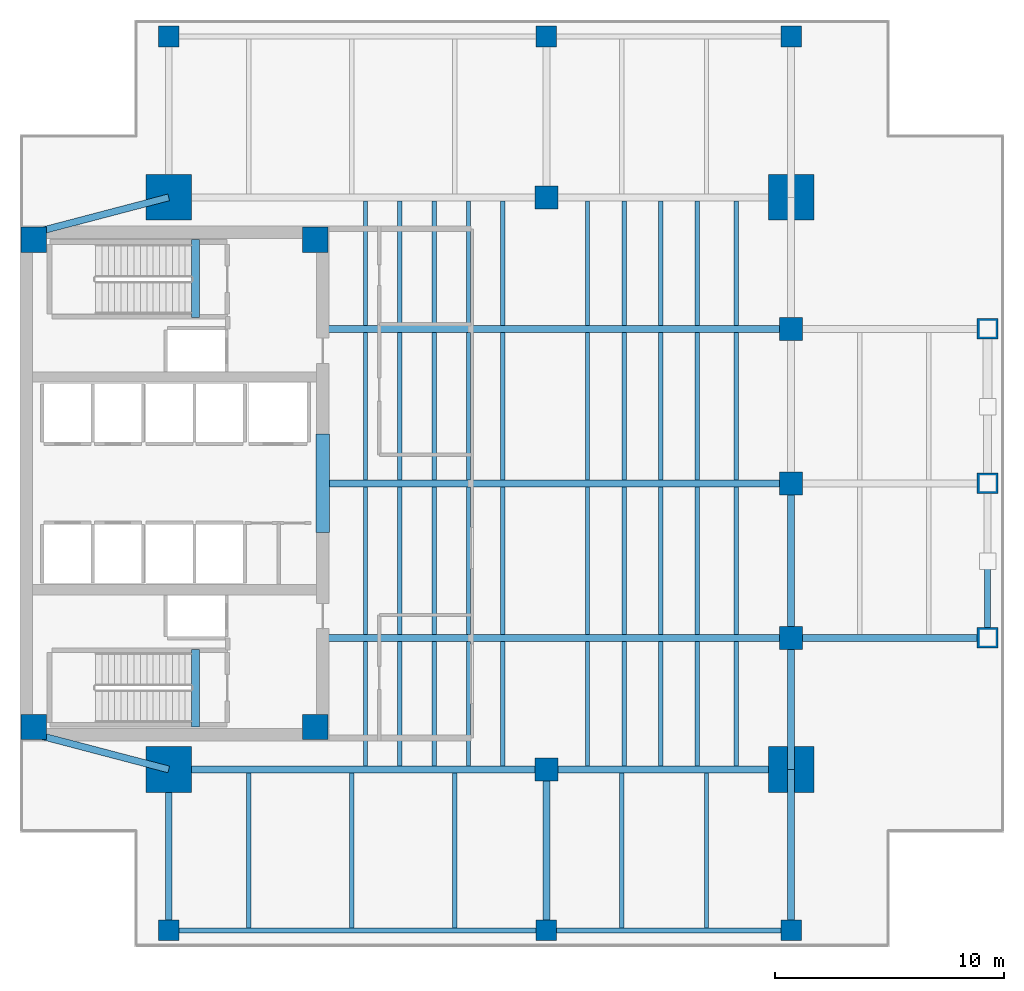
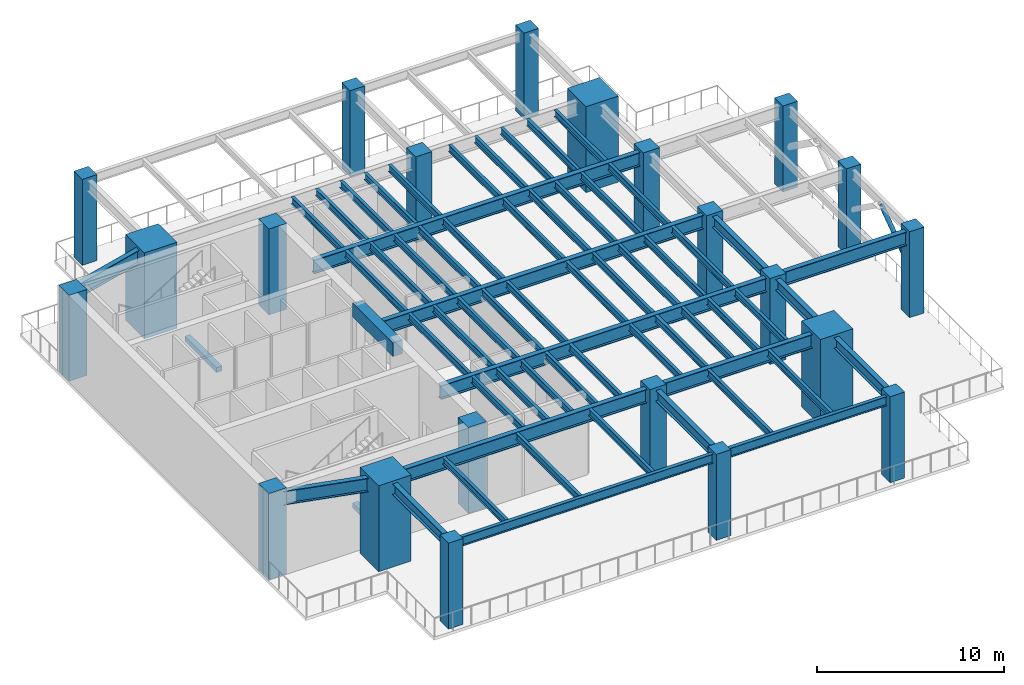
# One storey, part 1 of 8: 63 beams, 22 columns, 1 member.
"""IFC4 building model written with IfcOpenShell, lengths in metres."""

from ifc_helpers import new_model, si_unit, direction, frame, origin, origin_2d, place, context, subcontext, project, spatial, rectangle, hollow_circle, i_section, extrude, material, material_profile, profile_set, type_object, element, save


model = new_model("IFC4")

# Units and contexts
model_context = context("Model", 3, precision=1e-05, world=origin(), true_north=direction((0.0, 1.0)))
body_context = subcontext(model_context, "Body", "Model", "MODEL_VIEW")
ifc_project = project(units=[si_unit("LENGTHUNIT", "METRE"), si_unit("AREAUNIT", "SQUARE_METRE"), si_unit("VOLUMEUNIT", "CUBIC_METRE"), si_unit("PLANEANGLEUNIT", "RADIAN"), si_unit("MASSUNIT", "GRAM", prefix="KILO")], contexts=[model_context])

# Site, building, storey
site_placement = place(None, origin())
site = spatial("IfcSite", under=ifc_project, at=site_placement, CompositionType="ELEMENT")
building_placement = place(site_placement, origin())
building = spatial("IfcBuilding", under=site, at=building_placement, Name="Kinhvarn Gate Tower", CompositionType="ELEMENT")
storey_placement = place(building_placement, frame((0.0, 0.0, 178.050048828125)))
storey = spatial("IfcBuildingStorey", under=building, at=storey_placement, Name="L47", CompositionType="ELEMENT", Elevation=178.050048828125)

# Columns
ifc_material_1 = material(Name="Concrete C60/75", Category="concrete")
ifc_material_profile_1 = material_profile(ifc_material_1, rectangle(XDim=2.0, YDim=2.0, at=origin_2d()), Name="RC 2000x2000")
ifc_profile_set_1 = profile_set([ifc_material_profile_1], Name="Concrete C60/75")
column_type_1 = type_object("IfcColumnType", Name="COL-MC-2000", PredefinedType="COLUMN", material=ifc_profile_set_1)
for number, where, z_axis, x_axis, name in (
    (1, (11.0, 12.75, 0.0), (0.0, 0.0, 1.0), (1.0, 0.0, 0.0), "Column MC1-L47 (MC-20)"),
    (2, (11.0, 37.75, 0.0), (0.0, 0.0, 1.0), (1.0, 0.0, 0.0), "Column MC4-L47 (MC-20)"),
    (3, (38.199951171875, 12.75, 0.0), (0.0, 0.0, 1.0), (1.0, 0.0, 0.0), "Column MC2-L47 (MC-20)"),
    (4, (38.199951171875, 37.75, 0.0), (0.0, 0.0, 1.0), (1.0, 0.0, 0.0), "Column MC3-L47 (MC-20)"),
):
    element("IfcColumn", number, at=place(storey_placement, frame(where, z_axis=z_axis, x_axis=x_axis)), inside=storey, type_object=column_type_1, Name=name, PredefinedType="COLUMN", context=body_context, shape_type="SweptSolid", body=[
        extrude(rectangle(XDim=2.0, YDim=2.0, at=origin_2d()), origin(), (0.0, 0.0, 1.0), 5.599853515625),
    ])
ifc_material_profile_2 = material_profile(ifc_material_1, rectangle(XDim=1.0, YDim=1.0, at=origin_2d()), Name="RC 1000x1000")
ifc_profile_set_2 = profile_set([ifc_material_profile_2], Name="Concrete C60/75")
column_type_2 = type_object("IfcColumnType", Name="COL-RC-1000", PredefinedType="COLUMN", material=ifc_profile_set_2)
for number, where, z_axis, x_axis, name in (
    (5, (27.5, 12.75, 0.0), (0.0, 0.0, 1.0), (1.0, 0.0, 0.0), "Column SP27-S-L47 (C-100)"),
    (6, (27.5, 37.75, 0.0), (0.0, 0.0, 1.0), (1.0, 0.0, 0.0), "Column SP27-N-L47 (C-100)"),
    (7, (38.199951171875, 18.5, 0.0), (0.0, 0.0, 1.0), (1.0, 0.0, 0.0), "Column SP38-E1-L47 (C-100)"),
    (8, (38.199951171875, 25.25, 0.0), (0.0, 0.0, 1.0), (1.0, 0.0, 0.0), "Column SP38-E2-L47 (C-100)"),
    (9, (38.199951171875, 32.0, 0.0), (0.0, 0.0, 1.0), (1.0, 0.0, 0.0), "Column SP38-E3-L47 (C-100)"),
):
    element("IfcColumn", number, at=place(storey_placement, frame(where, z_axis=z_axis, x_axis=x_axis)), inside=storey, type_object=column_type_2, Name=name, PredefinedType="COLUMN", context=body_context, shape_type="SweptSolid", body=[
        extrude(rectangle(XDim=1.0, YDim=1.0, at=origin_2d()), origin(), (0.0, 0.0, 1.0), 5.599853515625),
    ])
ifc_material_profile_3 = material_profile(ifc_material_1, rectangle(XDim=0.89990234375, YDim=0.89990234375, at=origin_2d()), Name="RC 900x900")
ifc_profile_set_3 = profile_set([ifc_material_profile_3], Name="Concrete C60/75")
column_type_3 = type_object("IfcColumnType", Name="COL-RC-900", PredefinedType="COLUMN", material=ifc_profile_set_3)
for number, where, z_axis, x_axis, name in (
    (10, (46.780029296875, 18.5, 0.0), (0.0, 0.0, 1.0), (1.0, 0.0, 0.0), "Column CE-1-L47 (C-090)"),
    (11, (46.780029296875, 25.25, 0.0), (0.0, 0.0, 1.0), (1.0, 0.0, 0.0), "Column CE-2-L47 (C-090)"),
    (12, (46.780029296875, 32.0, 0.0), (0.0, 0.0, 1.0), (1.0, 0.0, 0.0), "Column CE-3-L47 (C-090)"),
    (13, (11.0, 5.719970703125, 0.0), (0.0, 0.0, 1.0), (1.0, 0.0, 0.0), "Column CS-0-L47 (C-090)"),
    (14, (27.5, 5.719970703125, 0.0), (0.0, 0.0, 1.0), (1.0, 0.0, 0.0), "Column CS-1-L47 (C-090)"),
    (15, (38.199951171875, 5.719970703125, 0.0), (0.0, 0.0, 1.0), (1.0, 0.0, 0.0), "Column CS-2-L47 (C-090)"),
    (16, (11.0, 44.780029296875, 0.0), (0.0, 0.0, 1.0), (1.0, 0.0, 0.0), "Column CN-0-L47 (C-090)"),
    (17, (27.5, 44.780029296875, 0.0), (0.0, 0.0, 1.0), (1.0, 0.0, 0.0), "Column CN-1-L47 (C-090)"),
    (18, (38.199951171875, 44.780029296875, 0.0), (0.0, 0.0, 1.0), (1.0, 0.0, 0.0), "Column CN-2-L47 (C-090)"),
):
    element("IfcColumn", number, at=place(storey_placement, frame(where, z_axis=z_axis, x_axis=x_axis)), inside=storey, type_object=column_type_3, Name=name, PredefinedType="COLUMN", context=body_context, shape_type="SweptSolid", body=[
        extrude(rectangle(XDim=0.89990234375, YDim=0.89990234375, at=origin_2d()), origin(), (0.0, 0.0, 1.0), 5.599853515625),
    ])
ifc_material_profile_4 = material_profile(ifc_material_1, rectangle(XDim=1.10009765625, YDim=1.10009765625, at=origin_2d()), Name="RC 1100x1100")
ifc_profile_set_4 = profile_set([ifc_material_profile_4], Name="Concrete C60/75")
column_type_4 = type_object("IfcColumnType", Name="PIL-RC-1100", PredefinedType="PILASTER", material=ifc_profile_set_4)
for number, where, z_axis, x_axis, name in (
    (19, (5.10009765625, 14.60009765625, 0.0), (0.0, 0.0, 1.0), (1.0, 0.0, 0.0), "Column CC-SW-L47 (CP-110)"),
    (20, (5.10009765625, 35.89990234375, 0.0), (0.0, 0.0, 1.0), (1.0, 0.0, 0.0), "Column CC-NW-L47 (CP-110)"),
    (21, (17.39990234375, 14.60009765625, 0.0), (0.0, 0.0, 1.0), (1.0, 0.0, 0.0), "Column CC-SE-L47 (CP-110)"),
    (22, (17.39990234375, 35.89990234375, 0.0), (0.0, 0.0, 1.0), (1.0, 0.0, 0.0), "Column CC-NE-L47 (CP-110)"),
):
    element("IfcColumn", number, at=place(storey_placement, frame(where, z_axis=z_axis, x_axis=x_axis)), inside=storey, type_object=column_type_4, Name=name, PredefinedType="PILASTER", context=body_context, shape_type="SweptSolid", body=[
        extrude(rectangle(XDim=1.10009765625, YDim=1.10009765625, at=origin_2d()), origin(), (0.0, 0.0, 1.0), 5.599853515625),
    ])

# Beams
ifc_material_profile_5 = material_profile(ifc_material_1, rectangle(XDim=0.60009765625, YDim=0.89990234375, at=origin_2d()), Name="RC 600x900")
ifc_profile_set_5 = profile_set([ifc_material_profile_5], Name="Concrete C60/75")
beam_type_1 = type_object("IfcBeamType", Name="BM-CB-900", PredefinedType="LINTEL", material=ifc_profile_set_5)
beam_1_placement = place(storey_placement, frame((17.72509765625, 23.10009765625, 4.969970703125), z_axis=(0.0, 1.0, 0.0), x_axis=(-1.0, 0.0, 0.0)))
element("IfcBeam", 23, at=beam_1_placement, inside=storey, type_object=beam_type_1, Name="Core East Portal Coupling Beam L47", PredefinedType="LINTEL", context=body_context, shape_type="SweptSolid", body=[
    extrude(rectangle(XDim=0.60009765625, YDim=0.89990234375, at=origin_2d()), origin(), (0.0, 0.0, 1.0), 4.2998046875),
])
ifc_material_2 = material(Name="Steel S355", Category="steel")
ifc_material_profile_6 = material_profile(ifc_material_2, i_section(OverallWidth=0.300048828125, OverallDepth=0.89990234375, WebThickness=0.0185546875, FlangeThickness=0.034912109375, at=origin_2d()), Name="HEB 900")
ifc_profile_set_6 = profile_set([ifc_material_profile_6], Name="Steel S355")
beam_type_2 = type_object("IfcBeamType", Name="BM-HEB900", PredefinedType="BEAM", material=ifc_profile_set_6)
beam_2_placement = place(storey_placement, frame((11.0, 12.75, 4.969970703125), z_axis=(1.0, 0.0, 0.0), x_axis=(0.0, 1.0, 0.0)))
element("IfcBeam", 24, at=beam_2_placement, inside=storey, type_object=beam_type_2, Name="Floor Beam HG-20 (L47 MG-S1)", PredefinedType="BEAM", context=body_context, shape_type="SweptSolid", body=[
    extrude(i_section(OverallWidth=0.300048828125, OverallDepth=0.89990234375, WebThickness=0.0185546875, FlangeThickness=0.034912109375, at=origin_2d()), origin(), (0.0, 0.0, 1.0), 16.5),
])
beam_3_placement = place(storey_placement, frame((27.5, 12.75, 4.969970703125), z_axis=(1.0, 0.0, 0.0), x_axis=(0.0, 1.0, 0.0)))
element("IfcBeam", 25, at=beam_3_placement, inside=storey, type_object=beam_type_2, Name="Floor Beam HG-20 (L47 MG-S2)", PredefinedType="BEAM", context=body_context, shape_type="SweptSolid", body=[
    extrude(i_section(OverallWidth=0.300048828125, OverallDepth=0.89990234375, WebThickness=0.0185546875, FlangeThickness=0.034912109375, at=origin_2d()), origin(), (0.0, 0.0, 1.0), 10.699951171875),
])
for number, where, z_axis, x_axis, name in (
    (26, (5.10009765625, 14.300048828125, 4.969970703125), (0.967177623957, -0.254101246979, 0.0), (0.254101246979, 0.967177623957, 0.0), "Floor Beam HG-20 (L47 MG-SW-DIAG)"),
    (27, (5.10009765625, 36.199951171875, 4.969970703125), (0.967177623957, 0.254101246979, 0.0), (-0.254101246979, 0.967177623957, 0.0), "Floor Beam HG-20 (L47 MG-NW-DIAG)"),
):
    element("IfcBeam", number, at=place(storey_placement, frame(where, z_axis=z_axis, x_axis=x_axis)), inside=storey, type_object=beam_type_2, Name=name, PredefinedType="BEAM", context=body_context, shape_type="SweptSolid", body=[
        extrude(i_section(OverallWidth=0.300048828125, OverallDepth=0.89990234375, WebThickness=0.0185546875, FlangeThickness=0.034912109375, at=origin_2d()), origin(), (0.0, 0.0, 1.0), 6.10009765625),
    ])
beam_4_placement = place(storey_placement, frame((17.64990234375, 18.5, 4.969970703125), z_axis=(1.0, 0.0, 0.0), x_axis=(0.0, 1.0, 0.0)))
element("IfcBeam", 28, at=beam_4_placement, inside=storey, type_object=beam_type_2, Name="Floor Beam HG-20 (L47 EW1-Y18)", PredefinedType="BEAM", context=body_context, shape_type="SweptSolid", body=[
    extrude(i_section(OverallWidth=0.300048828125, OverallDepth=0.89990234375, WebThickness=0.0185546875, FlangeThickness=0.034912109375, at=origin_2d()), origin(), (0.0, 0.0, 1.0), 20.550048828125),
])
beam_5_placement = place(storey_placement, frame((38.199951171875, 18.5, 4.969970703125), z_axis=(1.0, 0.0, 0.0), x_axis=(0.0, 1.0, 0.0)))
element("IfcBeam", 29, at=beam_5_placement, inside=storey, type_object=beam_type_2, Name="Floor Beam HG-20 (L47 EW2-Y18)", PredefinedType="BEAM", context=body_context, shape_type="SweptSolid", body=[
    extrude(i_section(OverallWidth=0.300048828125, OverallDepth=0.89990234375, WebThickness=0.0185546875, FlangeThickness=0.034912109375, at=origin_2d()), origin(), (0.0, 0.0, 1.0), 8.580078125),
])
beam_6_placement = place(storey_placement, frame((18.02490234375, 25.25, 4.969970703125), z_axis=(1.0, 0.0, 0.0), x_axis=(0.0, 1.0, 0.0)))
element("IfcBeam", 30, at=beam_6_placement, inside=storey, type_object=beam_type_2, Name="Floor Beam HG-20 (L47 EW1-Y25)", PredefinedType="BEAM", context=body_context, shape_type="SweptSolid", body=[
    extrude(i_section(OverallWidth=0.300048828125, OverallDepth=0.89990234375, WebThickness=0.0185546875, FlangeThickness=0.034912109375, at=origin_2d()), origin(), (0.0, 0.0, 1.0), 20.175048828125),
])
beam_7_placement = place(storey_placement, frame((17.64990234375, 32.0, 4.969970703125), z_axis=(1.0, 0.0, 0.0), x_axis=(0.0, 1.0, 0.0)))
element("IfcBeam", 31, at=beam_7_placement, inside=storey, type_object=beam_type_2, Name="Floor Beam HG-20 (L47 EW1-Y32)", PredefinedType="BEAM", context=body_context, shape_type="SweptSolid", body=[
    extrude(i_section(OverallWidth=0.300048828125, OverallDepth=0.89990234375, WebThickness=0.0185546875, FlangeThickness=0.034912109375, at=origin_2d()), origin(), (0.0, 0.0, 1.0), 20.550048828125),
])
ifc_material_3 = material(Name="Concrete C50/60", Category="concrete")
ifc_material_profile_7 = material_profile(ifc_material_3, rectangle(XDim=0.340087890625, YDim=0.320068359375, at=origin_2d()), Name="RC 340x320")
ifc_profile_set_7 = profile_set([ifc_material_profile_7], Name="Concrete C50/60")
beam_type_3 = type_object("IfcBeamType", Name="BM-LND-500", PredefinedType="BEAM", material=ifc_profile_set_7)
for number, where, z_axis, x_axis, name in (
    (32, (12.1650390625, 14.60009765625, -0.16015625), (0.0, 1.0, 0.0), (-1.0, 0.0, 0.0), "Stair ST1 Landing Nosing Beam (L47)"),
    (33, (12.1650390625, 32.5, -0.16015625), (0.0, 1.0, 0.0), (-1.0, 0.0, 0.0), "Stair ST2 Landing Nosing Beam (L47)"),
):
    element("IfcBeam", number, at=place(storey_placement, frame(where, z_axis=z_axis, x_axis=x_axis)), inside=storey, type_object=beam_type_3, Name=name, PredefinedType="BEAM", context=body_context, shape_type="SweptSolid", body=[
        extrude(rectangle(XDim=0.340087890625, YDim=0.320068359375, at=origin_2d()), origin(), (0.0, 0.0, 1.0), 3.39990234375),
    ])

# Member
ifc_material_profile_8 = material_profile(ifc_material_2, hollow_circle(Radius=0.136474609375, WallThickness=0.011962890625, at=origin_2d()), Name="CHS 273x12")
ifc_profile_set_8 = profile_set([ifc_material_profile_8], Name="Steel S355")
member_type = type_object("IfcMemberType", Name="MBR-CHS273x12", PredefinedType="BRACE", material=ifc_profile_set_8)
member_placement = place(storey_placement, frame((46.780029296875, 18.5, 2.5), z_axis=(0.0, 0.810632492751, 0.585555259302), x_axis=(-1.0, 0.0, 0.0)))
element("IfcMember", 34, at=member_placement, inside=storey, type_object=member_type, Name="Wind-Portal Header Brace BR-11 (CHS 273x12)", PredefinedType="BRACE", context=body_context, shape_type="SweptSolid", body=[
    extrude(hollow_circle(Radius=0.136474609375, WallThickness=0.011962890625, at=origin_2d()), origin(), (0.0, 0.0, 1.0), 4.1328125),
])

# Beams
ifc_material_profile_9 = material_profile(ifc_material_2, i_section(OverallWidth=0.300048828125, OverallDepth=0.699951171875, WebThickness=0.01708984375, FlangeThickness=0.031982421875, at=origin_2d()), Name="HEB 700")
ifc_profile_set_9 = profile_set([ifc_material_profile_9], Name="Steel S355")
beam_type_4 = type_object("IfcBeamType", Name="STL-HEB700", PredefinedType="BEAM", material=ifc_profile_set_9)
beam_8_placement = place(storey_placement, frame((11.0, 5.719970703125, 5.070068359375), z_axis=(0.0, 1.0, 0.0), x_axis=(-1.0, 0.0, 0.0)))
element("IfcBeam", 35, at=beam_8_placement, inside=storey, type_object=beam_type_4, Name="Floor Beam PG-18 (L47 MCW-S)", PredefinedType="BEAM", context=body_context, shape_type="SweptSolid", body=[
    extrude(i_section(OverallWidth=0.300048828125, OverallDepth=0.699951171875, WebThickness=0.01708984375, FlangeThickness=0.031982421875, at=origin_2d()), origin(), (0.0, 0.0, 1.0), 7.030029296875),
])
for number, where, z_axis, x_axis, name in (
    (36, (27.5, 6.155029296875, 5.070068359375), (0.0, 1.0, 0.0), (-1.0, 0.0, 0.0), "Floor Beam PG-18 (L47 SP27-S-TIE)"),
    (37, (38.199951171875, 6.155029296875, 5.070068359375), (0.0, 1.0, 0.0), (-1.0, 0.0, 0.0), "Floor Beam PG-18 (L47 MCE-S)"),
):
    element("IfcBeam", number, at=place(storey_placement, frame(where, z_axis=z_axis, x_axis=x_axis)), inside=storey, type_object=beam_type_4, Name=name, PredefinedType="BEAM", context=body_context, shape_type="SweptSolid", body=[
        extrude(i_section(OverallWidth=0.300048828125, OverallDepth=0.699951171875, WebThickness=0.01708984375, FlangeThickness=0.031982421875, at=origin_2d()), origin(), (0.0, 0.0, 1.0), 6.594970703125),
    ])
beam_9_placement = place(storey_placement, frame((38.199951171875, 12.75, 5.070068359375), z_axis=(0.0, 1.0, 0.0), x_axis=(-1.0, 0.0, 0.0)))
element("IfcBeam", 38, at=beam_9_placement, inside=storey, type_object=beam_type_4, Name="Floor Beam PG-18 (L47 MG-E-12)", PredefinedType="BEAM", context=body_context, shape_type="SweptSolid", body=[
    extrude(i_section(OverallWidth=0.300048828125, OverallDepth=0.699951171875, WebThickness=0.01708984375, FlangeThickness=0.031982421875, at=origin_2d()), origin(), (0.0, 0.0, 1.0), 5.75),
])
beam_10_placement = place(storey_placement, frame((38.199951171875, 18.5, 5.070068359375), z_axis=(0.0, 1.0, 0.0), x_axis=(-1.0, 0.0, 0.0)))
element("IfcBeam", 39, at=beam_10_placement, inside=storey, type_object=beam_type_4, Name="Floor Beam PG-18 (L47 MG-E-18)", PredefinedType="BEAM", context=body_context, shape_type="SweptSolid", body=[
    extrude(i_section(OverallWidth=0.300048828125, OverallDepth=0.699951171875, WebThickness=0.01708984375, FlangeThickness=0.031982421875, at=origin_2d()), origin(), (0.0, 0.0, 1.0), 6.75),
])
ifc_material_profile_10 = material_profile(ifc_material_2, i_section(OverallWidth=0.18994140625, OverallDepth=0.449951171875, WebThickness=0.009521484375, FlangeThickness=0.0146484375, at=origin_2d()), Name="IPE 450")
ifc_profile_set_10 = profile_set([ifc_material_profile_10], Name="Steel S355")
beam_type_5 = type_object("IfcBeamType", Name="STL-IPE450", PredefinedType="JOIST", material=ifc_profile_set_10)
beam_11_placement = place(storey_placement, frame((19.60009765625, 12.89990234375, 5.195068359375), z_axis=(0.0, 1.0, 0.0), x_axis=(-1.0, 0.0, 0.0)))
element("IfcBeam", 40, at=beam_11_placement, inside=storey, type_object=beam_type_5, Name="Floor Joist SB-06 (L47 JC-X196-0)", PredefinedType="JOIST", context=body_context, shape_type="SweptSolid", body=[
    extrude(i_section(OverallWidth=0.18994140625, OverallDepth=0.449951171875, WebThickness=0.009521484375, FlangeThickness=0.0146484375, at=origin_2d()), origin(), (0.0, 0.0, 1.0), 5.4501953125),
])
for number, where, z_axis, x_axis, name in (
    (41, (19.60009765625, 18.64990234375, 5.195068359375), (0.0, 1.0, 0.0), (-1.0, 0.0, 0.0), "Floor Joist SB-06 (L47 JC-X196-1)"),
    (42, (19.60009765625, 25.39990234375, 5.195068359375), (0.0, 1.0, 0.0), (-1.0, 0.0, 0.0), "Floor Joist SB-06 (L47 JC-X196-2)"),
):
    element("IfcBeam", number, at=place(storey_placement, frame(where, z_axis=z_axis, x_axis=x_axis)), inside=storey, type_object=beam_type_5, Name=name, PredefinedType="JOIST", context=body_context, shape_type="SweptSolid", body=[
        extrude(i_section(OverallWidth=0.18994140625, OverallDepth=0.449951171875, WebThickness=0.009521484375, FlangeThickness=0.0146484375, at=origin_2d()), origin(), (0.0, 0.0, 1.0), 6.4501953125),
    ])
for number, where, z_axis, x_axis, name in (
    (43, (19.60009765625, 32.14990234375, 5.195068359375), (0.0, 1.0, 0.0), (-1.0, 0.0, 0.0), "Floor Joist SB-06 (L47 JC-X196-3)"),
    (44, (21.10009765625, 12.89990234375, 5.195068359375), (0.0, 1.0, 0.0), (-1.0, 0.0, 0.0), "Floor Joist SB-06 (L47 JC-X211-0)"),
):
    element("IfcBeam", number, at=place(storey_placement, frame(where, z_axis=z_axis, x_axis=x_axis)), inside=storey, type_object=beam_type_5, Name=name, PredefinedType="JOIST", context=body_context, shape_type="SweptSolid", body=[
        extrude(i_section(OverallWidth=0.18994140625, OverallDepth=0.449951171875, WebThickness=0.009521484375, FlangeThickness=0.0146484375, at=origin_2d()), origin(), (0.0, 0.0, 1.0), 5.4501953125),
    ])
for number, where, z_axis, x_axis, name in (
    (45, (21.10009765625, 18.64990234375, 5.195068359375), (0.0, 1.0, 0.0), (-1.0, 0.0, 0.0), "Floor Joist SB-06 (L47 JC-X211-1)"),
    (46, (21.10009765625, 25.39990234375, 5.195068359375), (0.0, 1.0, 0.0), (-1.0, 0.0, 0.0), "Floor Joist SB-06 (L47 JC-X211-2)"),
):
    element("IfcBeam", number, at=place(storey_placement, frame(where, z_axis=z_axis, x_axis=x_axis)), inside=storey, type_object=beam_type_5, Name=name, PredefinedType="JOIST", context=body_context, shape_type="SweptSolid", body=[
        extrude(i_section(OverallWidth=0.18994140625, OverallDepth=0.449951171875, WebThickness=0.009521484375, FlangeThickness=0.0146484375, at=origin_2d()), origin(), (0.0, 0.0, 1.0), 6.4501953125),
    ])
for number, where, z_axis, x_axis, name in (
    (47, (21.10009765625, 32.14990234375, 5.195068359375), (0.0, 1.0, 0.0), (-1.0, 0.0, 0.0), "Floor Joist SB-06 (L47 JC-X211-3)"),
    (48, (22.60009765625, 12.89990234375, 5.195068359375), (0.0, 1.0, 0.0), (-1.0, 0.0, 0.0), "Floor Joist SB-06 (L47 JC-X226-0)"),
):
    element("IfcBeam", number, at=place(storey_placement, frame(where, z_axis=z_axis, x_axis=x_axis)), inside=storey, type_object=beam_type_5, Name=name, PredefinedType="JOIST", context=body_context, shape_type="SweptSolid", body=[
        extrude(i_section(OverallWidth=0.18994140625, OverallDepth=0.449951171875, WebThickness=0.009521484375, FlangeThickness=0.0146484375, at=origin_2d()), origin(), (0.0, 0.0, 1.0), 5.4501953125),
    ])
for number, where, z_axis, x_axis, name in (
    (49, (22.60009765625, 18.64990234375, 5.195068359375), (0.0, 1.0, 0.0), (-1.0, 0.0, 0.0), "Floor Joist SB-06 (L47 JC-X226-1)"),
    (50, (22.60009765625, 25.39990234375, 5.195068359375), (0.0, 1.0, 0.0), (-1.0, 0.0, 0.0), "Floor Joist SB-06 (L47 JC-X226-2)"),
):
    element("IfcBeam", number, at=place(storey_placement, frame(where, z_axis=z_axis, x_axis=x_axis)), inside=storey, type_object=beam_type_5, Name=name, PredefinedType="JOIST", context=body_context, shape_type="SweptSolid", body=[
        extrude(i_section(OverallWidth=0.18994140625, OverallDepth=0.449951171875, WebThickness=0.009521484375, FlangeThickness=0.0146484375, at=origin_2d()), origin(), (0.0, 0.0, 1.0), 6.4501953125),
    ])
for number, where, z_axis, x_axis, name in (
    (51, (22.60009765625, 32.14990234375, 5.195068359375), (0.0, 1.0, 0.0), (-1.0, 0.0, 0.0), "Floor Joist SB-06 (L47 JC-X226-3)"),
    (52, (24.10009765625, 12.89990234375, 5.195068359375), (0.0, 1.0, 0.0), (-1.0, 0.0, 0.0), "Floor Joist SB-06 (L47 JC-X241-0)"),
):
    element("IfcBeam", number, at=place(storey_placement, frame(where, z_axis=z_axis, x_axis=x_axis)), inside=storey, type_object=beam_type_5, Name=name, PredefinedType="JOIST", context=body_context, shape_type="SweptSolid", body=[
        extrude(i_section(OverallWidth=0.18994140625, OverallDepth=0.449951171875, WebThickness=0.009521484375, FlangeThickness=0.0146484375, at=origin_2d()), origin(), (0.0, 0.0, 1.0), 5.4501953125),
    ])
for number, where, z_axis, x_axis, name in (
    (53, (24.10009765625, 18.64990234375, 5.195068359375), (0.0, 1.0, 0.0), (-1.0, 0.0, 0.0), "Floor Joist SB-06 (L47 JC-X241-1)"),
    (54, (24.10009765625, 25.39990234375, 5.195068359375), (0.0, 1.0, 0.0), (-1.0, 0.0, 0.0), "Floor Joist SB-06 (L47 JC-X241-2)"),
):
    element("IfcBeam", number, at=place(storey_placement, frame(where, z_axis=z_axis, x_axis=x_axis)), inside=storey, type_object=beam_type_5, Name=name, PredefinedType="JOIST", context=body_context, shape_type="SweptSolid", body=[
        extrude(i_section(OverallWidth=0.18994140625, OverallDepth=0.449951171875, WebThickness=0.009521484375, FlangeThickness=0.0146484375, at=origin_2d()), origin(), (0.0, 0.0, 1.0), 6.4501953125),
    ])
for number, where, z_axis, x_axis, name in (
    (55, (24.10009765625, 32.14990234375, 5.195068359375), (0.0, 1.0, 0.0), (-1.0, 0.0, 0.0), "Floor Joist SB-06 (L47 JC-X241-3)"),
    (56, (25.60009765625, 12.89990234375, 5.195068359375), (0.0, 1.0, 0.0), (-1.0, 0.0, 0.0), "Floor Joist SB-06 (L47 JC-X256-0)"),
):
    element("IfcBeam", number, at=place(storey_placement, frame(where, z_axis=z_axis, x_axis=x_axis)), inside=storey, type_object=beam_type_5, Name=name, PredefinedType="JOIST", context=body_context, shape_type="SweptSolid", body=[
        extrude(i_section(OverallWidth=0.18994140625, OverallDepth=0.449951171875, WebThickness=0.009521484375, FlangeThickness=0.0146484375, at=origin_2d()), origin(), (0.0, 0.0, 1.0), 5.4501953125),
    ])
for number, where, z_axis, x_axis, name in (
    (57, (25.60009765625, 18.64990234375, 5.195068359375), (0.0, 1.0, 0.0), (-1.0, 0.0, 0.0), "Floor Joist SB-06 (L47 JC-X256-1)"),
    (58, (25.60009765625, 25.39990234375, 5.195068359375), (0.0, 1.0, 0.0), (-1.0, 0.0, 0.0), "Floor Joist SB-06 (L47 JC-X256-2)"),
):
    element("IfcBeam", number, at=place(storey_placement, frame(where, z_axis=z_axis, x_axis=x_axis)), inside=storey, type_object=beam_type_5, Name=name, PredefinedType="JOIST", context=body_context, shape_type="SweptSolid", body=[
        extrude(i_section(OverallWidth=0.18994140625, OverallDepth=0.449951171875, WebThickness=0.009521484375, FlangeThickness=0.0146484375, at=origin_2d()), origin(), (0.0, 0.0, 1.0), 6.4501953125),
    ])
for number, where, z_axis, x_axis, name in (
    (59, (25.60009765625, 32.14990234375, 5.195068359375), (0.0, 1.0, 0.0), (-1.0, 0.0, 0.0), "Floor Joist SB-06 (L47 JC-X256-3)"),
    (60, (29.300048828125, 12.89990234375, 5.195068359375), (0.0, 1.0, 0.0), (-1.0, 0.0, 0.0), "Floor Joist SB-06 (L47 JC-X293-0)"),
):
    element("IfcBeam", number, at=place(storey_placement, frame(where, z_axis=z_axis, x_axis=x_axis)), inside=storey, type_object=beam_type_5, Name=name, PredefinedType="JOIST", context=body_context, shape_type="SweptSolid", body=[
        extrude(i_section(OverallWidth=0.18994140625, OverallDepth=0.449951171875, WebThickness=0.009521484375, FlangeThickness=0.0146484375, at=origin_2d()), origin(), (0.0, 0.0, 1.0), 5.4501953125),
    ])
for number, where, z_axis, x_axis, name in (
    (61, (29.300048828125, 18.64990234375, 5.195068359375), (0.0, 1.0, 0.0), (-1.0, 0.0, 0.0), "Floor Joist SB-06 (L47 JC-X293-1)"),
    (62, (29.300048828125, 25.39990234375, 5.195068359375), (0.0, 1.0, 0.0), (-1.0, 0.0, 0.0), "Floor Joist SB-06 (L47 JC-X293-2)"),
):
    element("IfcBeam", number, at=place(storey_placement, frame(where, z_axis=z_axis, x_axis=x_axis)), inside=storey, type_object=beam_type_5, Name=name, PredefinedType="JOIST", context=body_context, shape_type="SweptSolid", body=[
        extrude(i_section(OverallWidth=0.18994140625, OverallDepth=0.449951171875, WebThickness=0.009521484375, FlangeThickness=0.0146484375, at=origin_2d()), origin(), (0.0, 0.0, 1.0), 6.4501953125),
    ])
for number, where, z_axis, x_axis, name in (
    (63, (29.300048828125, 32.14990234375, 5.195068359375), (0.0, 1.0, 0.0), (-1.0, 0.0, 0.0), "Floor Joist SB-06 (L47 JC-X293-3)"),
    (64, (30.89990234375, 12.89990234375, 5.195068359375), (0.0, 1.0, 0.0), (-1.0, 0.0, 0.0), "Floor Joist SB-06 (L47 JC-X309-0)"),
):
    element("IfcBeam", number, at=place(storey_placement, frame(where, z_axis=z_axis, x_axis=x_axis)), inside=storey, type_object=beam_type_5, Name=name, PredefinedType="JOIST", context=body_context, shape_type="SweptSolid", body=[
        extrude(i_section(OverallWidth=0.18994140625, OverallDepth=0.449951171875, WebThickness=0.009521484375, FlangeThickness=0.0146484375, at=origin_2d()), origin(), (0.0, 0.0, 1.0), 5.4501953125),
    ])
for number, where, z_axis, x_axis, name in (
    (65, (30.89990234375, 18.64990234375, 5.195068359375), (0.0, 1.0, 0.0), (-1.0, 0.0, 0.0), "Floor Joist SB-06 (L47 JC-X309-1)"),
    (66, (30.89990234375, 25.39990234375, 5.195068359375), (0.0, 1.0, 0.0), (-1.0, 0.0, 0.0), "Floor Joist SB-06 (L47 JC-X309-2)"),
):
    element("IfcBeam", number, at=place(storey_placement, frame(where, z_axis=z_axis, x_axis=x_axis)), inside=storey, type_object=beam_type_5, Name=name, PredefinedType="JOIST", context=body_context, shape_type="SweptSolid", body=[
        extrude(i_section(OverallWidth=0.18994140625, OverallDepth=0.449951171875, WebThickness=0.009521484375, FlangeThickness=0.0146484375, at=origin_2d()), origin(), (0.0, 0.0, 1.0), 6.4501953125),
    ])
for number, where, z_axis, x_axis, name in (
    (67, (30.89990234375, 32.14990234375, 5.195068359375), (0.0, 1.0, 0.0), (-1.0, 0.0, 0.0), "Floor Joist SB-06 (L47 JC-X309-3)"),
    (68, (32.5, 12.89990234375, 5.195068359375), (0.0, 1.0, 0.0), (-1.0, 0.0, 0.0), "Floor Joist SB-06 (L47 JC-X325-0)"),
):
    element("IfcBeam", number, at=place(storey_placement, frame(where, z_axis=z_axis, x_axis=x_axis)), inside=storey, type_object=beam_type_5, Name=name, PredefinedType="JOIST", context=body_context, shape_type="SweptSolid", body=[
        extrude(i_section(OverallWidth=0.18994140625, OverallDepth=0.449951171875, WebThickness=0.009521484375, FlangeThickness=0.0146484375, at=origin_2d()), origin(), (0.0, 0.0, 1.0), 5.4501953125),
    ])
for number, where, z_axis, x_axis, name in (
    (69, (32.5, 18.64990234375, 5.195068359375), (0.0, 1.0, 0.0), (-1.0, 0.0, 0.0), "Floor Joist SB-06 (L47 JC-X325-1)"),
    (70, (32.5, 25.39990234375, 5.195068359375), (0.0, 1.0, 0.0), (-1.0, 0.0, 0.0), "Floor Joist SB-06 (L47 JC-X325-2)"),
):
    element("IfcBeam", number, at=place(storey_placement, frame(where, z_axis=z_axis, x_axis=x_axis)), inside=storey, type_object=beam_type_5, Name=name, PredefinedType="JOIST", context=body_context, shape_type="SweptSolid", body=[
        extrude(i_section(OverallWidth=0.18994140625, OverallDepth=0.449951171875, WebThickness=0.009521484375, FlangeThickness=0.0146484375, at=origin_2d()), origin(), (0.0, 0.0, 1.0), 6.4501953125),
    ])
for number, where, z_axis, x_axis, name in (
    (71, (32.5, 32.14990234375, 5.195068359375), (0.0, 1.0, 0.0), (-1.0, 0.0, 0.0), "Floor Joist SB-06 (L47 JC-X325-3)"),
    (72, (34.10009765625, 12.89990234375, 5.195068359375), (0.0, 1.0, 0.0), (-1.0, 0.0, 0.0), "Floor Joist SB-06 (L47 JC-X341-0)"),
):
    element("IfcBeam", number, at=place(storey_placement, frame(where, z_axis=z_axis, x_axis=x_axis)), inside=storey, type_object=beam_type_5, Name=name, PredefinedType="JOIST", context=body_context, shape_type="SweptSolid", body=[
        extrude(i_section(OverallWidth=0.18994140625, OverallDepth=0.449951171875, WebThickness=0.009521484375, FlangeThickness=0.0146484375, at=origin_2d()), origin(), (0.0, 0.0, 1.0), 5.4501953125),
    ])
for number, where, z_axis, x_axis, name in (
    (73, (34.10009765625, 18.64990234375, 5.195068359375), (0.0, 1.0, 0.0), (-1.0, 0.0, 0.0), "Floor Joist SB-06 (L47 JC-X341-1)"),
    (74, (34.10009765625, 25.39990234375, 5.195068359375), (0.0, 1.0, 0.0), (-1.0, 0.0, 0.0), "Floor Joist SB-06 (L47 JC-X341-2)"),
):
    element("IfcBeam", number, at=place(storey_placement, frame(where, z_axis=z_axis, x_axis=x_axis)), inside=storey, type_object=beam_type_5, Name=name, PredefinedType="JOIST", context=body_context, shape_type="SweptSolid", body=[
        extrude(i_section(OverallWidth=0.18994140625, OverallDepth=0.449951171875, WebThickness=0.009521484375, FlangeThickness=0.0146484375, at=origin_2d()), origin(), (0.0, 0.0, 1.0), 6.4501953125),
    ])
for number, where, z_axis, x_axis, name in (
    (75, (34.10009765625, 32.14990234375, 5.195068359375), (0.0, 1.0, 0.0), (-1.0, 0.0, 0.0), "Floor Joist SB-06 (L47 JC-X341-3)"),
    (76, (35.800048828125, 12.89990234375, 5.195068359375), (0.0, 1.0, 0.0), (-1.0, 0.0, 0.0), "Floor Joist SB-06 (L47 JC-X358-0)"),
):
    element("IfcBeam", number, at=place(storey_placement, frame(where, z_axis=z_axis, x_axis=x_axis)), inside=storey, type_object=beam_type_5, Name=name, PredefinedType="JOIST", context=body_context, shape_type="SweptSolid", body=[
        extrude(i_section(OverallWidth=0.18994140625, OverallDepth=0.449951171875, WebThickness=0.009521484375, FlangeThickness=0.0146484375, at=origin_2d()), origin(), (0.0, 0.0, 1.0), 5.4501953125),
    ])
for number, where, z_axis, x_axis, name in (
    (77, (35.800048828125, 18.64990234375, 5.195068359375), (0.0, 1.0, 0.0), (-1.0, 0.0, 0.0), "Floor Joist SB-06 (L47 JC-X358-1)"),
    (78, (35.800048828125, 25.39990234375, 5.195068359375), (0.0, 1.0, 0.0), (-1.0, 0.0, 0.0), "Floor Joist SB-06 (L47 JC-X358-2)"),
):
    element("IfcBeam", number, at=place(storey_placement, frame(where, z_axis=z_axis, x_axis=x_axis)), inside=storey, type_object=beam_type_5, Name=name, PredefinedType="JOIST", context=body_context, shape_type="SweptSolid", body=[
        extrude(i_section(OverallWidth=0.18994140625, OverallDepth=0.449951171875, WebThickness=0.009521484375, FlangeThickness=0.0146484375, at=origin_2d()), origin(), (0.0, 0.0, 1.0), 6.4501953125),
    ])
beam_12_placement = place(storey_placement, frame((35.800048828125, 32.14990234375, 5.195068359375), z_axis=(0.0, 1.0, 0.0), x_axis=(-1.0, 0.0, 0.0)))
element("IfcBeam", 79, at=beam_12_placement, inside=storey, type_object=beam_type_5, Name="Floor Joist SB-06 (L47 JC-X358-3)", PredefinedType="JOIST", context=body_context, shape_type="SweptSolid", body=[
    extrude(i_section(OverallWidth=0.18994140625, OverallDepth=0.449951171875, WebThickness=0.009521484375, FlangeThickness=0.0146484375, at=origin_2d()), origin(), (0.0, 0.0, 1.0), 5.4501953125),
])
for number, where, z_axis, x_axis, name in (
    (80, (14.5, 5.830078125, 5.195068359375), (0.0, 1.0, 0.0), (-1.0, 0.0, 0.0), "Floor Joist SB-06 (L47 JS-X145)"),
    (81, (19.0, 5.830078125, 5.195068359375), (0.0, 1.0, 0.0), (-1.0, 0.0, 0.0), "Floor Joist SB-06 (L47 JS-X190)"),
    (82, (23.5, 5.830078125, 5.195068359375), (0.0, 1.0, 0.0), (-1.0, 0.0, 0.0), "Floor Joist SB-06 (L47 JS-X235)"),
    (83, (30.800048828125, 5.830078125, 5.195068359375), (0.0, 1.0, 0.0), (-1.0, 0.0, 0.0), "Floor Joist SB-06 (L47 JS-X308)"),
    (84, (34.5, 5.830078125, 5.195068359375), (0.0, 1.0, 0.0), (-1.0, 0.0, 0.0), "Floor Joist SB-06 (L47 JS-X345)"),
):
    element("IfcBeam", number, at=place(storey_placement, frame(where, z_axis=z_axis, x_axis=x_axis)), inside=storey, type_object=beam_type_5, Name=name, PredefinedType="JOIST", context=body_context, shape_type="SweptSolid", body=[
        extrude(i_section(OverallWidth=0.18994140625, OverallDepth=0.449951171875, WebThickness=0.009521484375, FlangeThickness=0.0146484375, at=origin_2d()), origin(), (0.0, 0.0, 1.0), 6.77001953125),
    ])
ifc_material_profile_11 = material_profile(ifc_material_2, i_section(OverallWidth=0.219970703125, OverallDepth=0.60009765625, WebThickness=0.011962890625, FlangeThickness=0.01904296875, at=origin_2d()), Name="IPE 600")
ifc_profile_set_11 = profile_set([ifc_material_profile_11], Name="Steel S355")
beam_type_6 = type_object("IfcBeamType", Name="STL-IPE600", PredefinedType="SPANDREL", material=ifc_profile_set_11)
beam_13_placement = place(storey_placement, frame((11.43505859375, 5.719970703125, 5.119873046875), z_axis=(1.0, 0.0, 0.0), x_axis=(0.0, 1.0, 0.0)))
element("IfcBeam", 85, at=beam_13_placement, inside=storey, type_object=beam_type_6, Name="Floor Spandrel SB-09 (L47 SP-S1)", PredefinedType="SPANDREL", context=body_context, shape_type="SweptSolid", body=[
    extrude(i_section(OverallWidth=0.219970703125, OverallDepth=0.60009765625, WebThickness=0.011962890625, FlangeThickness=0.01904296875, at=origin_2d()), origin(), (0.0, 0.0, 1.0), 15.6298828125),
])
beam_14_placement = place(storey_placement, frame((27.93505859375, 5.719970703125, 5.119873046875), z_axis=(1.0, 0.0, 0.0), x_axis=(0.0, 1.0, 0.0)))
element("IfcBeam", 86, at=beam_14_placement, inside=storey, type_object=beam_type_6, Name="Floor Spandrel SB-09 (L47 SP-S2)", PredefinedType="SPANDREL", context=body_context, shape_type="SweptSolid", body=[
    extrude(i_section(OverallWidth=0.219970703125, OverallDepth=0.60009765625, WebThickness=0.011962890625, FlangeThickness=0.01904296875, at=origin_2d()), origin(), (0.0, 0.0, 1.0), 9.829833984375),
])

save(model, "model.ifc")
